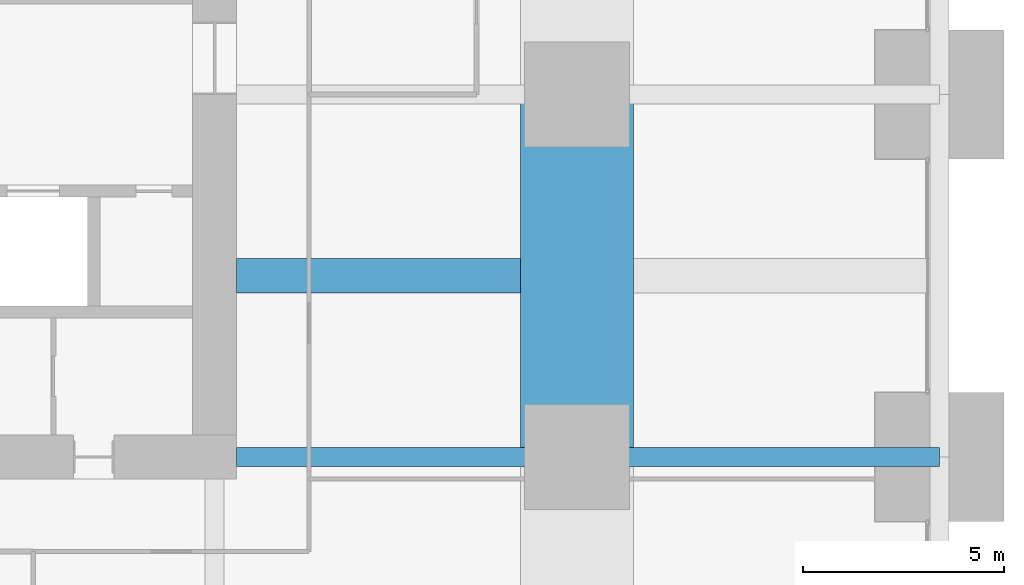
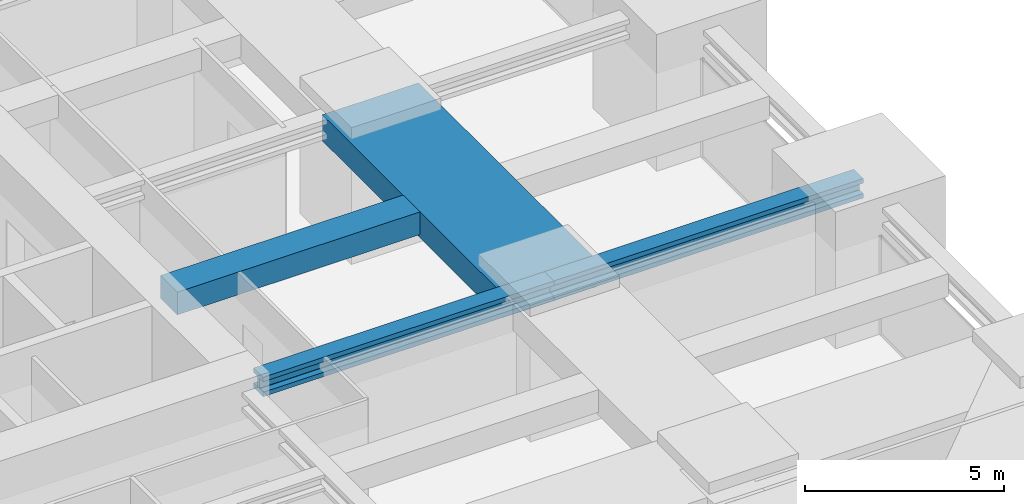
# One storey, part 23 of 45: 4 beams.
"""IFC4 building model written with IfcOpenShell, lengths in metres."""

from ifc_helpers import new_model, si_unit, direction, frame, origin, origin_2d, place, context, subcontext, project, spatial, rectangle, i_section, extrude, material, material_profile, profile_set, type_object, element, save


model = new_model("IFC4")

# Units and contexts
model_context = context("Model", 3, precision=1e-05, world=origin(), true_north=direction((0.0, 1.0)))
body_context = subcontext(model_context, "Body", "Model", "MODEL_VIEW")
ifc_project = project(units=[si_unit("LENGTHUNIT", "METRE"), si_unit("AREAUNIT", "SQUARE_METRE"), si_unit("VOLUMEUNIT", "CUBIC_METRE"), si_unit("PLANEANGLEUNIT", "RADIAN"), si_unit("MASSUNIT", "GRAM", prefix="KILO")], contexts=[model_context])

# Site, building, storey
site_placement = place(None, origin())
site = spatial("IfcSite", under=ifc_project, at=site_placement, CompositionType="ELEMENT")
building_placement = place(site_placement, origin())
building = spatial("IfcBuilding", under=site, at=building_placement, Name="Zorevar Civic Tower", CompositionType="ELEMENT")
storey_placement = place(building_placement, frame((0.0, 0.0, 153.0)))
storey = spatial("IfcBuildingStorey", under=building, at=storey_placement, Name="L37", CompositionType="ELEMENT", Elevation=153.0)

# Beams
ifc_material_1 = material(Name="Concrete C50/60", Category="concrete")
ifc_material_profile_1 = material_profile(ifc_material_1, rectangle(XDim=2.800048828125, YDim=0.800048828125, at=origin_2d()), Name="RC 2800x800")
ifc_profile_set_1 = profile_set([ifc_material_profile_1], Name="Concrete C50/60")
beam_type_1 = type_object("IfcBeamType", Name="Beam RC 2800x800", PredefinedType="BEAM", material=ifc_profile_set_1)
beam_1_placement = place(storey_placement, frame((54.0, 18.0, 3.449951171875), z_axis=(0.0, 1.0, 0.0), x_axis=(-1.0, 0.0, 0.0)))
element("IfcBeam", 1, at=beam_1_placement, inside=storey, type_object=beam_type_1, Name="Girder L38", PredefinedType="BEAM", context=body_context, shape_type="SweptSolid", body=[
    extrude(rectangle(XDim=2.800048828125, YDim=0.800048828125, at=origin_2d()), origin(), (0.0, 0.0, 1.0), 9.0),
])
ifc_material_2 = material(Name="Concrete C50/60", Category="concrete")
ifc_material_profile_2 = material_profile(ifc_material_2, rectangle(XDim=0.85009765625, YDim=0.699951171875, at=origin_2d()), Name="RC 850x700")
ifc_profile_set_2 = profile_set([ifc_material_profile_2], Name="Concrete C50/60")
beam_type_2 = type_object("IfcBeamType", Name="Beam RC 850x700", PredefinedType="BEAM", material=ifc_profile_set_2)
beam_2_placement = place(storey_placement, frame((45.550048828125, 22.5, 3.5), z_axis=(1.0, 0.0, 0.0), x_axis=(0.0, 1.0, 0.0)))
element("IfcBeam", 2, at=beam_2_placement, inside=storey, type_object=beam_type_2, Name="Secondary beam L38", PredefinedType="BEAM", context=body_context, shape_type="SweptSolid", body=[
    extrude(rectangle(XDim=0.85009765625, YDim=0.699951171875, at=origin_2d()), origin(), (0.0, 0.0, 1.0), 7.050048828125),
])
ifc_material_3 = material(Name="Steel S460M (HISTAR 460)", Category="steel")
ifc_material_profile_3 = material_profile(ifc_material_3, i_section(OverallWidth=0.47607421875, OverallDepth=0.60009765625, WebThickness=0.10009765625, FlangeThickness=0.139892578125, FilletRadius=0.014892578125, at=origin_2d()), Name="HD 400x1299")
ifc_profile_set_3 = profile_set([ifc_material_profile_3], Name="Steel S460M (HISTAR 460)")
beam_type_3 = type_object("IfcBeamType", Name="Outrigger chord HD 400x1299", PredefinedType="BEAM", material=ifc_profile_set_3)
beam_3_placement = place(storey_placement, frame((45.550048828125, 18.0, 3.550048828125), z_axis=(1.0, 0.0, 0.0), x_axis=(0.0, 1.0, 0.0)))
element("IfcBeam", 3, at=beam_3_placement, inside=storey, type_object=beam_type_3, Name="Outrigger chord L38", PredefinedType="BEAM", context=body_context, shape_type="SweptSolid", body=[
    extrude(i_section(OverallWidth=0.47607421875, OverallDepth=0.60009765625, WebThickness=0.10009765625, FlangeThickness=0.139892578125, FilletRadius=0.014892578125, at=origin_2d()), origin(), (0.0, 0.0, 1.0), 8.449951171875),
])
beam_4_placement = place(storey_placement, frame((54.0, 18.0, 3.550048828125), z_axis=(1.0, 0.0, 0.0), x_axis=(0.0, 1.0, 0.0)))
element("IfcBeam", 4, at=beam_4_placement, inside=storey, type_object=beam_type_3, Name="Outrigger chord L38", PredefinedType="BEAM", context=body_context, shape_type="SweptSolid", body=[
    extrude(i_section(OverallWidth=0.47607421875, OverallDepth=0.60009765625, WebThickness=0.10009765625, FlangeThickness=0.139892578125, FilletRadius=0.014892578125, at=origin_2d()), origin(), (0.0, 0.0, 1.0), 9.0),
])

save(model, "model.ifc")
